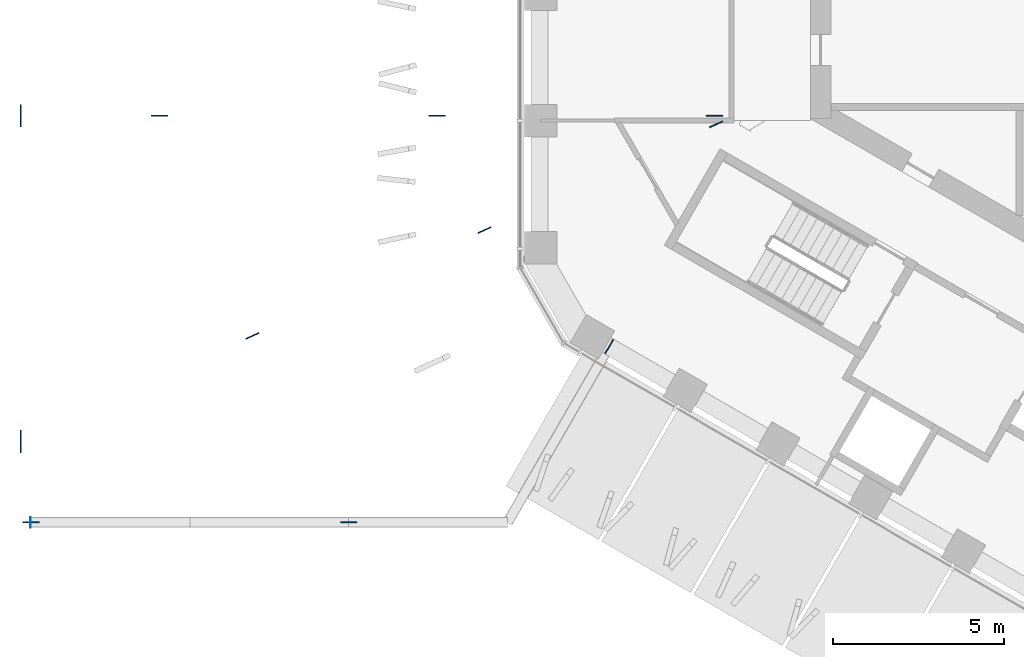
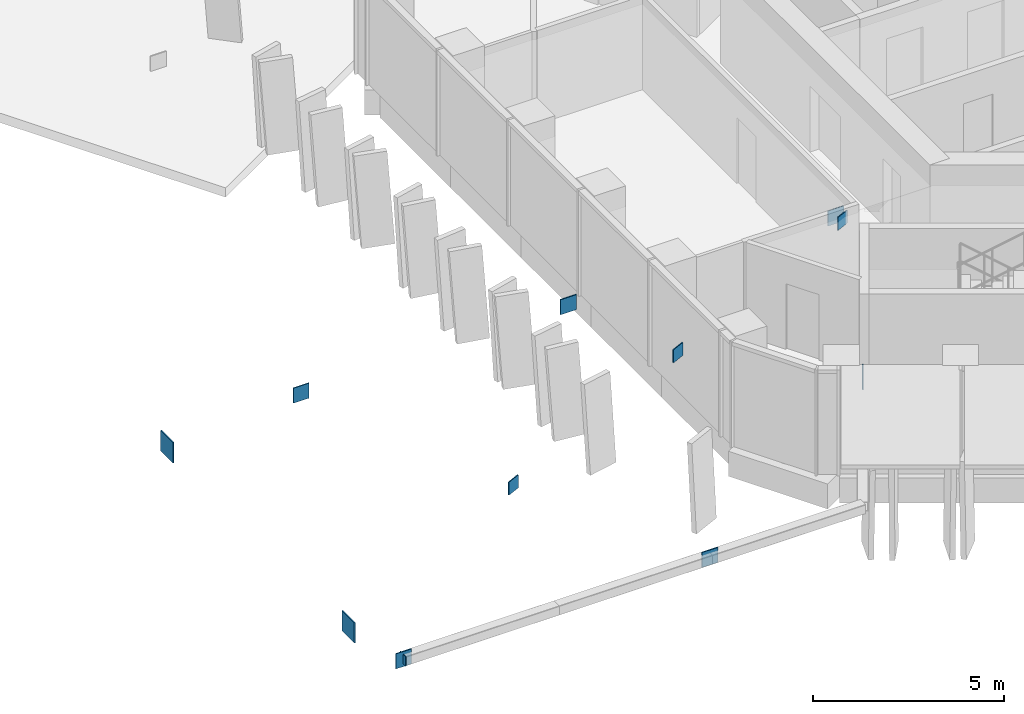
# One storey, part 16 of 23: 12 discrete accessories.
"""IFC4 building model written with IfcOpenShell, lengths in metres."""

from ifc_helpers import new_model, si_unit, direction, frame, origin, origin_2d, place, context, subcontext, project, spatial, rectangle, extrude, material, layer, layer_set, type_object, element, save


model = new_model("IFC4")

# Units and contexts
model_context = context("Model", 3, precision=1e-05, world=origin(), true_north=direction((0.0, 1.0)))
body_context = subcontext(model_context, "Body", "Model", "MODEL_VIEW")
ifc_project = project(units=[si_unit("LENGTHUNIT", "METRE"), si_unit("AREAUNIT", "SQUARE_METRE"), si_unit("VOLUMEUNIT", "CUBIC_METRE"), si_unit("PLANEANGLEUNIT", "RADIAN"), si_unit("MASSUNIT", "GRAM", prefix="KILO")], contexts=[model_context])

# Site, building, storey
site_placement = place(None, origin())
site = spatial("IfcSite", under=ifc_project, at=site_placement, CompositionType="ELEMENT")
building_placement = place(site_placement, origin())
building = spatial("IfcBuilding", under=site, at=building_placement, Name="Ayvan Gate Tower", CompositionType="ELEMENT")
storey_placement = place(building_placement, frame((0.0, 0.0, 198.699951171875)))
storey = spatial("IfcBuildingStorey", under=building, at=storey_placement, Name="L53", CompositionType="ELEMENT", Elevation=198.699951171875)

# Discrete accessories
ifc_material = material(Name="Steel S460ML", Category="steel")
ifc_layer_1 = layer(ifc_material, 0.030029296875)
ifc_layer_set_1 = layer_set([ifc_layer_1], Name="Steel S460ML")
discrete_accessory_type_1 = type_object("IfcDiscreteAccessoryType", Name="Gusset plate 30 mm", PredefinedType="BRACKET", material=ifc_layer_set_1)
for number, where, z_axis, x_axis, name in (
    (1, (-12.300048828125, -5.39990234375, 2.4599609375), (0.0, 0.0, 1.0), (1.0, 0.0, 0.0), "Gusset plate SBT5-3-D-2"),
    (2, (-20.3896484375, -5.39990234375, 2.4599609375), (0.0, 0.0, 1.0), (1.0, 0.0, 0.0), "Gusset plate SBT5-3-D-3"),
    (3, (-28.4794921875, -5.39990234375, 2.4599609375), (0.0, 0.0, 1.0), (1.0, 0.0, 0.0), "Gusset plate SBT5-3-D-5"),
):
    element("IfcDiscreteAccessory", number, at=place(storey_placement, frame(where, z_axis=z_axis, x_axis=x_axis)), inside=storey, type_object=discrete_accessory_type_1, Name=name, PredefinedType="BRACKET", context=body_context, shape_type="SweptSolid", body=[
        extrude(rectangle(XDim=0.47998046875, YDim=0.030029296875, at=origin_2d()), origin(), (0.0, 0.0, 1.0), 0.47998046875),
    ])
for number, where, z_axis, x_axis, name in (
    (4, (-12.245849609375, -5.652099609375, 2.491943359375), (0.0, 0.0, 1.0), (0.909853397447, 0.414929867753, 0.0), "Gusset plate SBT5-4-D-2"),
    (5, (-19.00537109375, -8.73486328125, 2.491943359375), (0.0, 0.0, 1.0), (0.909853397447, 0.414929867753, 0.0), "Gusset plate SBT5-4-D-3"),
    (6, (-25.764892578125, -11.8173828125, 2.491943359375), (0.0, 0.0, 1.0), (0.909853397447, 0.414929867753, 0.0), "Gusset plate SBT5-4-D-5"),
):
    element("IfcDiscreteAccessory", number, at=place(storey_placement, frame(where, z_axis=z_axis, x_axis=x_axis)), inside=storey, type_object=discrete_accessory_type_1, Name=name, PredefinedType="BRACKET", context=body_context, shape_type="SweptSolid", body=[
        extrude(rectangle(XDim=0.416015625, YDim=0.030029296875, at=origin_2d()), origin(), (0.0, 0.0, 1.0), 0.416015625),
    ])
for number, where, z_axis, x_axis, name in (
    (7, (-15.36474609375, -12.129150390625, 2.4599609375), (0.0, 0.0, 1.0), (0.5, 0.866025403784, 0.0), "Gusset plate SBX5-A-D-1"),
    (8, (-22.95751953125, -17.2548828125, 2.4599609375), (0.0, 0.0, 1.0), (1.0, 0.0, 0.0), "Gusset plate SBX5-A-D-2"),
    (9, (-32.224365234375, -17.2548828125, 2.4599609375), (0.0, 0.0, 1.0), (1.0, 0.0, 0.0), "Gusset plate SBX5-A-D-4"),
):
    element("IfcDiscreteAccessory", number, at=place(storey_placement, frame(where, z_axis=z_axis, x_axis=x_axis)), inside=storey, type_object=discrete_accessory_type_1, Name=name, PredefinedType="BRACKET", context=body_context, shape_type="SweptSolid", body=[
        extrude(rectangle(XDim=0.47998046875, YDim=0.030029296875, at=origin_2d()), origin(), (0.0, 0.0, 1.0), 0.47998046875),
    ])
ifc_layer_2 = layer(ifc_material, 0.034912109375)
ifc_layer_set_2 = layer_set([ifc_layer_2], Name="Steel S460ML")
discrete_accessory_type_2 = type_object("IfcDiscreteAccessoryType", Name="Gusset plate 35 mm", PredefinedType="BRACKET", material=ifc_layer_set_2)
for number, where, z_axis, x_axis, name in (
    (10, (-32.5244140625, -5.39990234375, 2.0751953125), (0.0, 0.0, 1.0), (0.0, 1.0, 0.0), "Gusset plate EXO-B5-D2B"),
    (11, (-32.5244140625, -14.89990234375, 2.0751953125), (0.0, 0.0, 1.0), (0.0, 1.0, 0.0), "Gusset plate EXO-B5-D3B"),
):
    element("IfcDiscreteAccessory", number, at=place(storey_placement, frame(where, z_axis=z_axis, x_axis=x_axis)), inside=storey, type_object=discrete_accessory_type_2, Name=name, PredefinedType="BRACKET", context=body_context, shape_type="SweptSolid", body=[
        extrude(rectangle(XDim=0.650146484375, YDim=0.034912109375, at=origin_2d()), origin(), (0.0, 0.0, 1.0), 0.650146484375),
    ])
ifc_layer_3 = layer(ifc_material, 0.02001953125)
ifc_layer_set_3 = layer_set([ifc_layer_3], Name="Steel S460ML")
discrete_accessory_type_3 = type_object("IfcDiscreteAccessoryType", Name="Sky bar end cap plate", PredefinedType="BRACKET", material=ifc_layer_set_3)
discrete_accessory_placement = place(storey_placement, frame((-32.234375, -17.2548828125, 2.5498046875), z_axis=(0.0, 0.0, 1.0), x_axis=(-1.0, 0.0, 0.0)))
element("IfcDiscreteAccessory", 12, at=discrete_accessory_placement, inside=storey, type_object=discrete_accessory_type_3, Name="End cap SBX5-A-BC-4:EC", PredefinedType="BRACKET", context=body_context, shape_type="SweptSolid", body=[
    extrude(rectangle(XDim=0.02001953125, YDim=0.300048828125, at=origin_2d()), origin(), (0.0, 0.0, 1.0), 0.300048828125),
])

save(model, "model.ifc")
